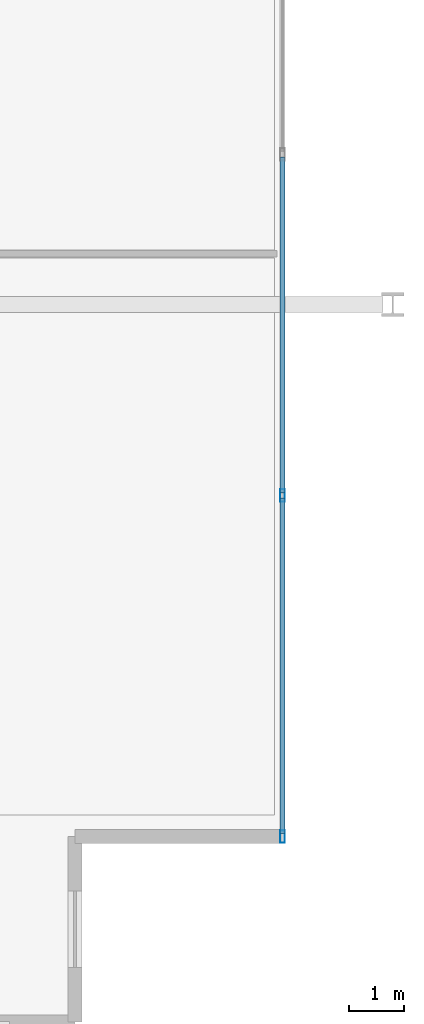
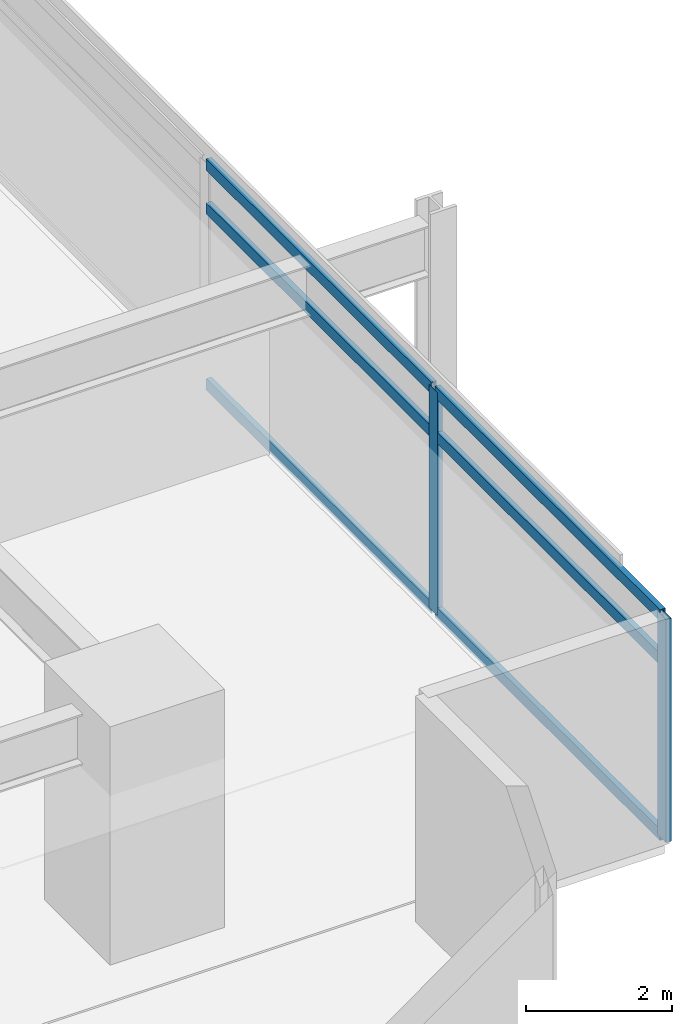
# One storey, part 2 of 22: 8 members, 1 element without a shape of its own.
"""IFC4 building model written with IfcOpenShell, lengths in metres."""

from ifc_helpers import new_model, si_unit, direction, frame, origin, origin_2d, place, context, subcontext, project, spatial, hollow_rectangle, extrude, material, material_profile, profile_set, type_object, element, aggregate, save


model = new_model("IFC4")

# Units and contexts
model_context = context("Model", 3, precision=1e-05, world=origin(), true_north=direction((0.0, 1.0)))
body_context = subcontext(model_context, "Body", "Model", "MODEL_VIEW")
ifc_project = project(units=[si_unit("LENGTHUNIT", "METRE"), si_unit("AREAUNIT", "SQUARE_METRE"), si_unit("VOLUMEUNIT", "CUBIC_METRE"), si_unit("PLANEANGLEUNIT", "RADIAN"), si_unit("MASSUNIT", "GRAM", prefix="KILO")], contexts=[model_context])

# Site, building, storey
site_placement = place(None, origin())
site = spatial("IfcSite", under=ifc_project, at=site_placement, CompositionType="ELEMENT")
building_placement = place(site_placement, origin())
building = spatial("IfcBuilding", under=site, at=building_placement, Name="Kovane Verandah Tower", CompositionType="ELEMENT")
storey_placement = place(building_placement, frame((0.0, 0.0, 51.60009765625)))
storey = spatial("IfcBuildingStorey", under=building, at=storey_placement, Name="L11", CompositionType="ELEMENT", Elevation=51.60009765625)

# Curtain wall, members
ifc_material_1 = material(Name="Champagne Anodised Aluminium Frame with Low-E Clear Laminated Glass", Category="aluminium")
curtain_wall_type = type_object("IfcCurtainWallType", Name="CW-SYS-02-LOW", PredefinedType="NOTDEFINED", material=ifc_material_1)
curtain_wall_placement = place(storey_placement, origin())
curtain_wall = element("IfcCurtainWall", 1, at=curtain_wall_placement, inside=storey, type_object=curtain_wall_type, Name="L11 E Unitised Curtain Wall", PredefinedType="NOTDEFINED")
ifc_material_2 = material(Name="Champagne Anodised Aluminium 6063-T6", Category="aluminium")
ifc_material_profile_1 = material_profile(ifc_material_2, hollow_rectangle(XDim=0.0849609375, YDim=0.22998046875, WallThickness=0.00390625, at=origin_2d()), Name="AL85x230x4")
ifc_profile_set_1 = profile_set([ifc_material_profile_1], Name="Champagne Anodised Aluminium 6063-T6")
member_type_1 = type_object("IfcMemberType", Name="CW-MUL-85x230", PredefinedType="MULLION", material=ifc_profile_set_1)
member_1_placement = place(storey_placement, frame((65.580322265625, 8.75390625, 0.02001953125), z_axis=(0.0, 0.0, 1.0), x_axis=(1.0, 0.0, 0.0)))
member_1 = element("IfcMember", 2, at=member_1_placement, type_object=member_type_1, Name="L11 E Unitised Curtain Wall Mullion 1", PredefinedType="MULLION", context=body_context, shape_type="SweptSolid", body=[
    extrude(hollow_rectangle(XDim=0.0849609375, YDim=0.22998046875, WallThickness=0.00390625, at=origin_2d()), origin(), (0.0, 0.0, 1.0), 3.719970703125),
])
member_2_placement = place(storey_placement, frame((65.580322265625, 15.00244140625, 0.02001953125), z_axis=(0.0, 0.0, 1.0), x_axis=(1.0, 0.0, 0.0)))
member_2 = element("IfcMember", 3, at=member_2_placement, type_object=member_type_1, Name="L11 E Unitised Curtain Wall Mullion 2", PredefinedType="MULLION", context=body_context, shape_type="SweptSolid", body=[
    extrude(hollow_rectangle(XDim=0.0849609375, YDim=0.22998046875, WallThickness=0.00390625, at=origin_2d()), origin(), (0.0, 0.0, 1.0), 3.719970703125),
])
ifc_material_profile_2 = material_profile(ifc_material_2, hollow_rectangle(XDim=0.0849609375, YDim=0.18994140625, WallThickness=0.00390625, at=origin_2d()), Name="AL85x190x4")
ifc_profile_set_2 = profile_set([ifc_material_profile_2], Name="Champagne Anodised Aluminium 6063-T6")
member_type_2 = type_object("IfcMemberType", Name="CW-TRN-85x190", PredefinedType="USERDEFINED", material=ifc_profile_set_2)
member_3_placement = place(storey_placement, frame((65.580322265625, 8.8037109375, 0.0498046875), z_axis=(0.0, 1.0, 0.0), x_axis=(-1.0, 0.0, 0.0)))
member_3 = element("IfcMember", 4, at=member_3_placement, type_object=member_type_2, Name="L11 E Unitised Curtain Wall Transom TB Bay 1", ObjectType="TRANSOM", PredefinedType="USERDEFINED", context=body_context, shape_type="SweptSolid", body=[
    extrude(hollow_rectangle(XDim=0.0849609375, YDim=0.18994140625, WallThickness=0.00390625, at=origin_2d()), origin(), (0.0, 0.0, 1.0), 6.148681640625),
])
member_4_placement = place(storey_placement, frame((65.580322265625, 8.8037109375, 2.97998046875), z_axis=(0.0, 1.0, 0.0), x_axis=(-1.0, 0.0, 0.0)))
member_4 = element("IfcMember", 5, at=member_4_placement, type_object=member_type_2, Name="L11 E Unitised Curtain Wall Transom TM Bay 1", ObjectType="TRANSOM", PredefinedType="USERDEFINED", context=body_context, shape_type="SweptSolid", body=[
    extrude(hollow_rectangle(XDim=0.0849609375, YDim=0.18994140625, WallThickness=0.00390625, at=origin_2d()), origin(), (0.0, 0.0, 1.0), 6.148681640625),
])
member_5_placement = place(storey_placement, frame((65.580322265625, 8.8037109375, 3.7099609375), z_axis=(0.0, 1.0, 0.0), x_axis=(-1.0, 0.0, 0.0)))
member_5 = element("IfcMember", 6, at=member_5_placement, type_object=member_type_2, Name="L11 E Unitised Curtain Wall Transom TT Bay 1", ObjectType="TRANSOM", PredefinedType="USERDEFINED", context=body_context, shape_type="SweptSolid", body=[
    extrude(hollow_rectangle(XDim=0.0849609375, YDim=0.18994140625, WallThickness=0.00390625, at=origin_2d()), origin(), (0.0, 0.0, 1.0), 6.148681640625),
])
member_6_placement = place(storey_placement, frame((65.580322265625, 15.052490234375, 0.0498046875), z_axis=(0.0, 1.0, 0.0), x_axis=(-1.0, 0.0, 0.0)))
member_6 = element("IfcMember", 7, at=member_6_placement, type_object=member_type_2, Name="L11 E Unitised Curtain Wall Transom TB Bay 2", ObjectType="TRANSOM", PredefinedType="USERDEFINED", context=body_context, shape_type="SweptSolid", body=[
    extrude(hollow_rectangle(XDim=0.0849609375, YDim=0.18994140625, WallThickness=0.00390625, at=origin_2d()), origin(), (0.0, 0.0, 1.0), 6.14892578125),
])
member_7_placement = place(storey_placement, frame((65.580322265625, 15.052490234375, 2.97998046875), z_axis=(0.0, 1.0, 0.0), x_axis=(-1.0, 0.0, 0.0)))
member_7 = element("IfcMember", 8, at=member_7_placement, type_object=member_type_2, Name="L11 E Unitised Curtain Wall Transom TM Bay 2", ObjectType="TRANSOM", PredefinedType="USERDEFINED", context=body_context, shape_type="SweptSolid", body=[
    extrude(hollow_rectangle(XDim=0.0849609375, YDim=0.18994140625, WallThickness=0.00390625, at=origin_2d()), origin(), (0.0, 0.0, 1.0), 6.14892578125),
])
member_8_placement = place(storey_placement, frame((65.580322265625, 15.052490234375, 3.7099609375), z_axis=(0.0, 1.0, 0.0), x_axis=(-1.0, 0.0, 0.0)))
member_8 = element("IfcMember", 9, at=member_8_placement, type_object=member_type_2, Name="L11 E Unitised Curtain Wall Transom TT Bay 2", ObjectType="TRANSOM", PredefinedType="USERDEFINED", context=body_context, shape_type="SweptSolid", body=[
    extrude(hollow_rectangle(XDim=0.0849609375, YDim=0.18994140625, WallThickness=0.00390625, at=origin_2d()), origin(), (0.0, 0.0, 1.0), 6.14892578125),
])
aggregate(curtain_wall, [member_1, member_2, member_3, member_4, member_5, member_6, member_7, member_8])

save(model, "model.ifc")
